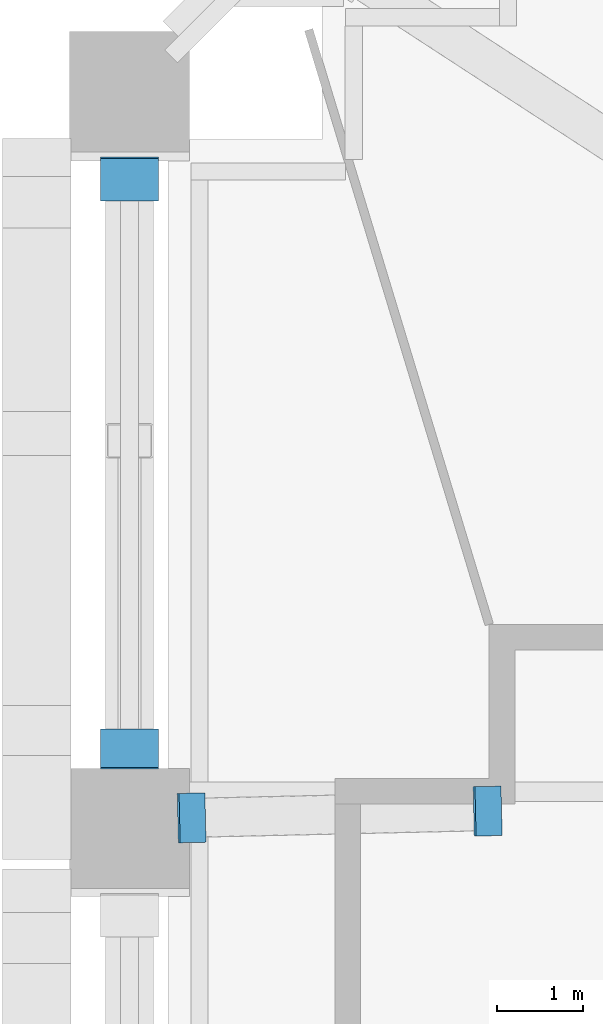
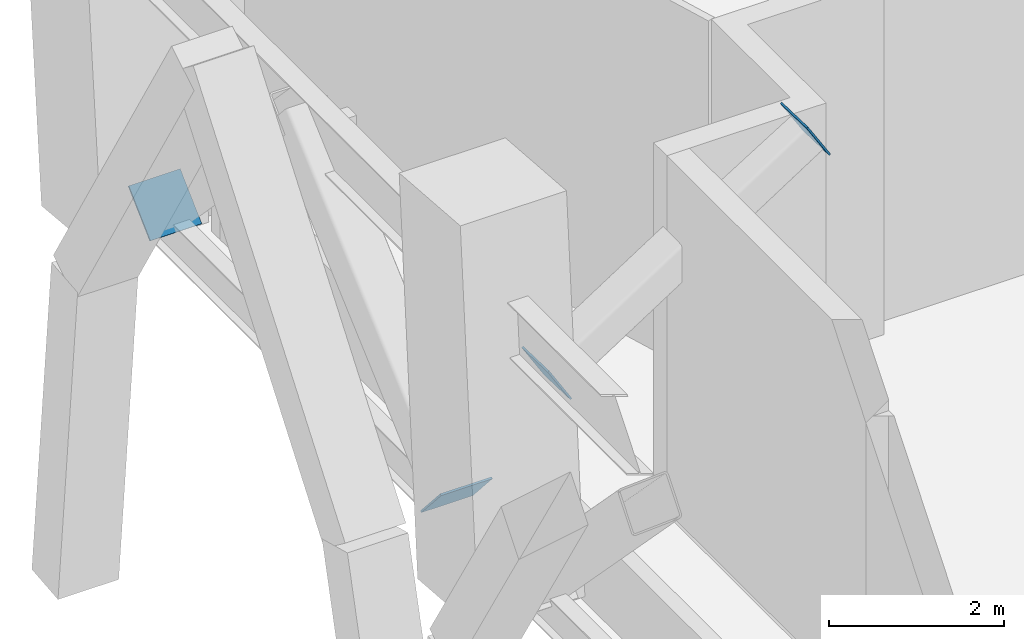
# One storey, part 15 of 19: 4 discrete accessories.
"""IFC4 building model written with IfcOpenShell, lengths in metres."""

from ifc_helpers import new_model, si_unit, direction, frame, origin, origin_2d, place, context, subcontext, project, spatial, rectangle, extrude, material, material_profile, profile_set, type_object, element, save


model = new_model("IFC4")

# Units and contexts
model_context = context("Model", 3, precision=1e-05, world=origin(), true_north=direction((0.0, 1.0)))
body_context = subcontext(model_context, "Body", "Model", "MODEL_VIEW")
ifc_project = project(units=[si_unit("LENGTHUNIT", "METRE"), si_unit("AREAUNIT", "SQUARE_METRE"), si_unit("VOLUMEUNIT", "CUBIC_METRE"), si_unit("PLANEANGLEUNIT", "RADIAN"), si_unit("MASSUNIT", "GRAM", prefix="KILO")], contexts=[model_context])

# Site, building, storey
site_placement = place(None, origin())
site = spatial("IfcSite", under=ifc_project, at=site_placement, CompositionType="ELEMENT")
building_placement = place(site_placement, origin())
building = spatial("IfcBuilding", under=site, at=building_placement, Name="Ogive Exchange Tower", CompositionType="ELEMENT")
storey_placement = place(building_placement, frame((0.0, 0.0, 94.199951171875)))
storey = spatial("IfcBuildingStorey", under=building, at=storey_placement, Name="L20", CompositionType="ELEMENT", Elevation=94.199951171875)

# Discrete accessories
ifc_material = material(Name="Steel ASTM A572 Gr50", Category="steel")
ifc_material_profile_1 = material_profile(ifc_material, rectangle(XDim=0.576904296875, YDim=0.576904296875, at=origin_2d()), Name="PL 577 x 577 x 25")
ifc_profile_set_1 = profile_set([ifc_material_profile_1], Name="Steel ASTM A572 Gr50")
discrete_accessory_type_1 = type_object("IfcDiscreteAccessoryType", Name="Gusset plate 577 x 577 x 25", PredefinedType="USERDEFINED", material=ifc_profile_set_1)
discrete_accessory_1_placement = place(storey_placement, frame((-31.6845703125, 24.94091796875, 2.59912109375), z_axis=(0.852162863182, 0.0193673378, 0.522918120589), x_axis=(-0.022721405353, 0.999741835545, 0.0)))
element("IfcDiscreteAccessory", 1, at=discrete_accessory_1_placement, inside=storey, type_object=discrete_accessory_type_1, Name="Block-change strut 25 end plate A", ObjectType="GUSSET PLATE", PredefinedType="USERDEFINED", context=body_context, shape_type="SweptSolid", body=[
    extrude(rectangle(XDim=0.576904296875, YDim=0.576904296875, at=origin_2d()), origin(), (0.0, 0.0, 1.0), 0.025146484375),
])
discrete_accessory_2_placement = place(storey_placement, frame((-28.22802734375, 25.019287109375, 4.74267578125), z_axis=(0.849478144807, 0.019528233214, 0.527262296777), x_axis=(-0.02298243377, 0.999735868986, 0.0)))
element("IfcDiscreteAccessory", 2, at=discrete_accessory_2_placement, inside=storey, type_object=discrete_accessory_type_1, Name="Block-change strut 25 end plate B", ObjectType="GUSSET PLATE", PredefinedType="USERDEFINED", context=body_context, shape_type="SweptSolid", body=[
    extrude(rectangle(XDim=0.576904296875, YDim=0.576904296875, at=origin_2d()), origin(), (0.0, 0.0, 1.0), 0.02490234375),
])
ifc_material_profile_2 = material_profile(ifc_material, rectangle(XDim=0.678955078125, YDim=0.678955078125, at=origin_2d()), Name="PL 679 x 679 x 25")
ifc_profile_set_2 = profile_set([ifc_material_profile_2], Name="Steel ASTM A572 Gr50")
discrete_accessory_type_2 = type_object("IfcDiscreteAccessoryType", Name="Gusset plate 679 x 679 x 25", PredefinedType="USERDEFINED", material=ifc_profile_set_2)
discrete_accessory_3_placement = place(storey_placement, frame((-32.39990234375, 32.408935546875, 0.66796875), z_axis=(0.0, -0.687199853876, 0.726468416955), x_axis=(1.0, 0.0, 0.0)))
element("IfcDiscreteAccessory", 3, at=discrete_accessory_3_placement, inside=storey, type_object=discrete_accessory_type_2, Name="Belt truss diagonal 26a end plate A", ObjectType="GUSSET PLATE", PredefinedType="USERDEFINED", context=body_context, shape_type="SweptSolid", body=[
    extrude(rectangle(XDim=0.678955078125, YDim=0.678955078125, at=origin_2d()), origin(), (0.0, 0.0, 1.0), 0.02490234375),
])
discrete_accessory_4_placement = place(storey_placement, frame((-32.39990234375, 25.73486328125, 0.66796875), z_axis=(0.0, 0.749553706565, 0.661943533071), x_axis=(-1.0, 0.0, 0.0)))
element("IfcDiscreteAccessory", 4, at=discrete_accessory_4_placement, inside=storey, type_object=discrete_accessory_type_2, Name="Belt truss diagonal 26b end plate A", ObjectType="GUSSET PLATE", PredefinedType="USERDEFINED", context=body_context, shape_type="SweptSolid", body=[
    extrude(rectangle(XDim=0.678955078125, YDim=0.678955078125, at=origin_2d()), origin(), (0.0, 0.0, 1.0), 0.025146484375),
])

save(model, "model.ifc")
